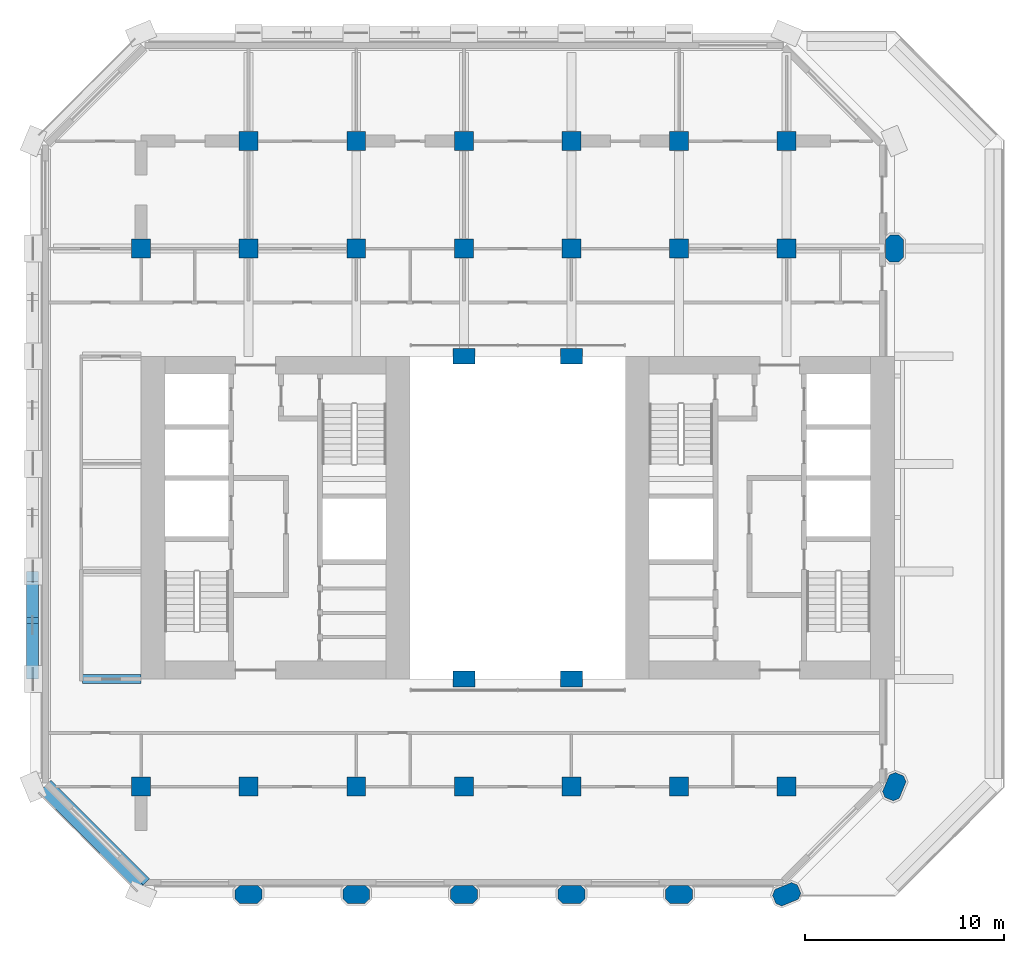
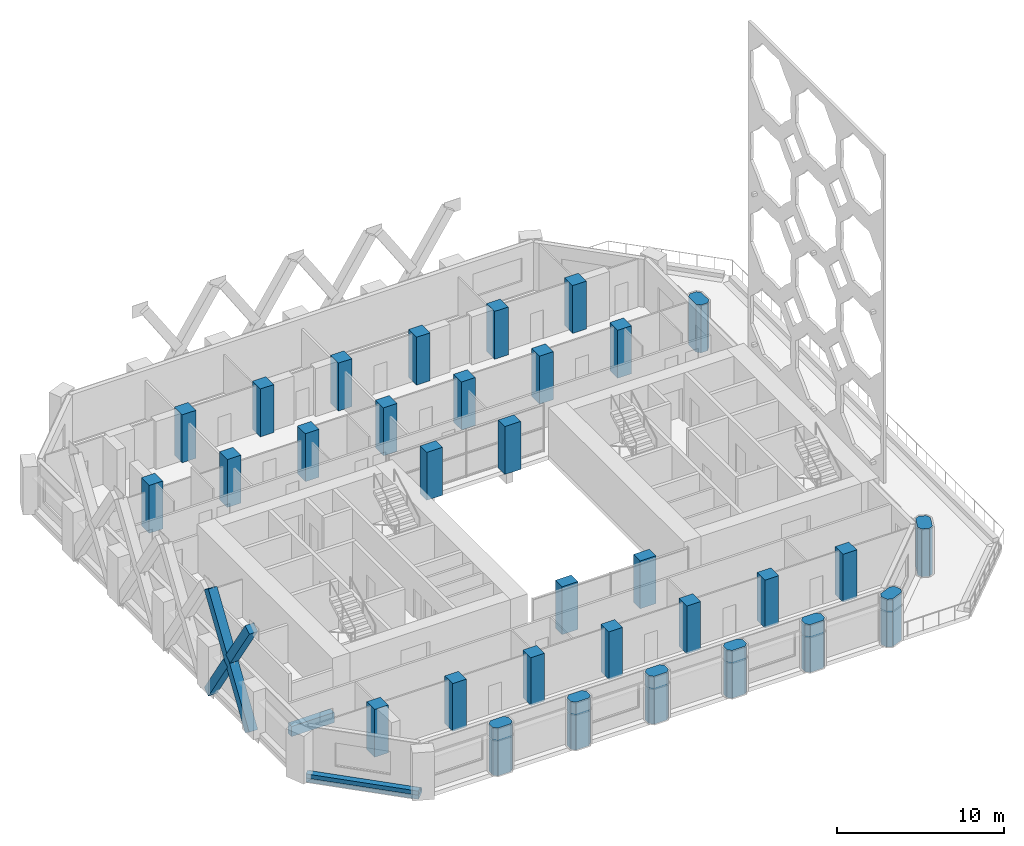
# One storey, part 1 of 14: 32 columns, 3 beams, 3 members.
"""IFC4 building model written with IfcOpenShell, lengths in metres."""

from ifc_helpers import new_model, si_unit, direction, frame, origin, origin_2d, place, context, subcontext, project, spatial, polyline, rectangle, outline, extrude, material, material_profile, profile_set, type_object, element, save


model = new_model("IFC4")

# Units and contexts
model_context = context("Model", 3, precision=1e-05, world=origin(), true_north=direction((0.0, 1.0)))
body_context = subcontext(model_context, "Body", "Model", "MODEL_VIEW")
ifc_project = project(units=[si_unit("LENGTHUNIT", "METRE"), si_unit("AREAUNIT", "SQUARE_METRE"), si_unit("VOLUMEUNIT", "CUBIC_METRE"), si_unit("PLANEANGLEUNIT", "RADIAN"), si_unit("MASSUNIT", "GRAM", prefix="KILO")], contexts=[model_context])

# Site, building, storey
site_placement = place(None, origin())
site = spatial("IfcSite", under=ifc_project, at=site_placement, CompositionType="ELEMENT")
building_placement = place(site_placement, origin())
building = spatial("IfcBuilding", under=site, at=building_placement, Name="Tabaq Tower and Sports Hall", CompositionType="ELEMENT")
storey_placement = place(building_placement, frame((0.0, 0.0, 95.39990234375)))
storey = spatial("IfcBuildingStorey", under=building, at=storey_placement, Name="L22", CompositionType="ELEMENT", Elevation=95.39990234375)

# Columns
ifc_material_1 = material(Name="Concrete C60/75", Category="concrete")
ifc_material_profile_1 = material_profile(ifc_material_1, rectangle(XDim=1.10009765625, YDim=0.800048828125, at=origin_2d()), Name="ATRIUM COLUMN 1100x800")
ifc_profile_set_1 = profile_set([ifc_material_profile_1], Name="Concrete C60/75")
column_type_1 = type_object("IfcColumnType", Name="RC COLUMN ATRIUM COLUMN 1100x800 C60/75", PredefinedType="COLUMN", material=ifc_profile_set_1)
for number, where, z_axis, x_axis, name in (
    (1, (21.60009765625, 16.199951171875, 0.0), (0.0, 0.0, 1.0), (1.0, 0.0, 0.0), "Atrium Column 5/D L22"),
    (2, (27.0, 16.199951171875, 0.0), (0.0, 0.0, 1.0), (1.0, 0.0, 0.0), "Atrium Column 6/D L22"),
    (3, (21.60009765625, 32.39990234375, 0.0), (0.0, 0.0, 1.0), (1.0, 0.0, 0.0), "Atrium Column 5/G L22"),
    (4, (27.0, 32.39990234375, 0.0), (0.0, 0.0, 1.0), (1.0, 0.0, 0.0), "Atrium Column 6/G L22"),
):
    element("IfcColumn", number, at=place(storey_placement, frame(where, z_axis=z_axis, x_axis=x_axis)), inside=storey, type_object=column_type_1, Name=name, PredefinedType="COLUMN", context=body_context, shape_type="SweptSolid", body=[
        extrude(rectangle(XDim=1.10009765625, YDim=0.800048828125, at=origin_2d()), origin(), (0.0, 0.0, 1.0), 3.5),
    ])
ifc_material_2 = material(Name="Concrete C60/75", Category="concrete")
ifc_material_profile_2 = material_profile(ifc_material_2, rectangle(XDim=0.949951171875, YDim=0.949951171875, at=origin_2d()), Name="COLUMN 950x950")
ifc_profile_set_2 = profile_set([ifc_material_profile_2], Name="Concrete C60/75")
column_type_2 = type_object("IfcColumnType", Name="RC COLUMN COLUMN 950x950 C60/75", PredefinedType="COLUMN", material=ifc_profile_set_2)
for number, where, z_axis, x_axis, name in (
    (5, (5.39990234375, 10.800048828125, 0.0), (0.0, 0.0, 1.0), (1.0, 0.0, 0.0), "Column 2/C L22"),
    (6, (10.800048828125, 10.800048828125, 0.0), (0.0, 0.0, 1.0), (1.0, 0.0, 0.0), "Column 3/C L22"),
    (7, (16.199951171875, 10.800048828125, 0.0), (0.0, 0.0, 1.0), (1.0, 0.0, 0.0), "Column 4/C L22"),
    (8, (21.60009765625, 10.800048828125, 0.0), (0.0, 0.0, 1.0), (1.0, 0.0, 0.0), "Column 5/C L22"),
    (9, (27.0, 10.800048828125, 0.0), (0.0, 0.0, 1.0), (1.0, 0.0, 0.0), "Column 6/C L22"),
    (10, (32.39990234375, 10.800048828125, 0.0), (0.0, 0.0, 1.0), (1.0, 0.0, 0.0), "Column 7/C L22"),
    (11, (37.800048828125, 10.800048828125, 0.0), (0.0, 0.0, 1.0), (1.0, 0.0, 0.0), "Column 8/C L22"),
    (12, (5.39990234375, 37.800048828125, 0.0), (0.0, 0.0, 1.0), (1.0, 0.0, 0.0), "Column 2/H L22"),
    (13, (10.800048828125, 37.800048828125, 0.0), (0.0, 0.0, 1.0), (1.0, 0.0, 0.0), "Column 3/H L22"),
    (14, (16.199951171875, 37.800048828125, 0.0), (0.0, 0.0, 1.0), (1.0, 0.0, 0.0), "Column 4/H L22"),
    (15, (21.60009765625, 37.800048828125, 0.0), (0.0, 0.0, 1.0), (1.0, 0.0, 0.0), "Column 5/H L22"),
    (16, (27.0, 37.800048828125, 0.0), (0.0, 0.0, 1.0), (1.0, 0.0, 0.0), "Column 6/H L22"),
    (17, (32.39990234375, 37.800048828125, 0.0), (0.0, 0.0, 1.0), (1.0, 0.0, 0.0), "Column 7/H L22"),
    (18, (37.800048828125, 37.800048828125, 0.0), (0.0, 0.0, 1.0), (1.0, 0.0, 0.0), "Column 8/H L22"),
    (19, (10.800048828125, 43.199951171875, 0.0), (0.0, 0.0, 1.0), (1.0, 0.0, 0.0), "Column 3/I L22"),
    (20, (16.199951171875, 43.199951171875, 0.0), (0.0, 0.0, 1.0), (1.0, 0.0, 0.0), "Column 4/I L22"),
    (21, (21.60009765625, 43.199951171875, 0.0), (0.0, 0.0, 1.0), (1.0, 0.0, 0.0), "Column 5/I L22"),
    (22, (27.0, 43.199951171875, 0.0), (0.0, 0.0, 1.0), (1.0, 0.0, 0.0), "Column 6/I L22"),
    (23, (32.39990234375, 43.199951171875, 0.0), (0.0, 0.0, 1.0), (1.0, 0.0, 0.0), "Column 7/I L22"),
    (24, (37.800048828125, 43.199951171875, 0.0), (0.0, 0.0, 1.0), (1.0, 0.0, 0.0), "Column 8/I L22"),
):
    element("IfcColumn", number, at=place(storey_placement, frame(where, z_axis=z_axis, x_axis=x_axis)), inside=storey, type_object=column_type_2, Name=name, PredefinedType="COLUMN", context=body_context, shape_type="SweptSolid", body=[
        extrude(rectangle(XDim=0.949951171875, YDim=0.949951171875, at=origin_2d()), origin(), (0.0, 0.0, 1.0), 3.5),
    ])
ifc_material_3 = material(Name="Concrete C60/75", Category="concrete")
ifc_material_profile_3 = material_profile(ifc_material_3, outline(polyline([(-0.449951171875, -0.449951171875), (0.449951171875, -0.449951171875), (0.675048828125, -0.22509765625), (0.675048828125, 0.22509765625), (0.449951171875, 0.449951171875), (-0.449951171875, 0.449951171875), (-0.675048828125, 0.22509765625), (-0.675048828125, -0.22509765625), (-0.449951171875, -0.449951171875)])), Name="PIER 1350x900")
ifc_profile_set_3 = profile_set([ifc_material_profile_3], Name="Concrete C60/75")
column_type_3 = type_object("IfcColumnType", Name="RC COLUMN PIER 1350x900 C60/75", PredefinedType="COLUMN", material=ifc_profile_set_3)
for number, where, z_axis, x_axis, name in (
    (25, (10.800048828125, 5.39990234375, 0.0), (0.0, 0.0, 1.0), (1.0, 0.0, 0.0), "Pier 3/B L22"),
    (26, (16.199951171875, 5.39990234375, 0.0), (0.0, 0.0, 1.0), (1.0, 0.0, 0.0), "Pier 4/B L22"),
    (27, (21.60009765625, 5.39990234375, 0.0), (0.0, 0.0, 1.0), (1.0, 0.0, 0.0), "Pier 5/B L22"),
    (28, (27.0, 5.39990234375, 0.0), (0.0, 0.0, 1.0), (1.0, 0.0, 0.0), "Pier 6/B L22"),
    (29, (32.39990234375, 5.39990234375, 0.0), (0.0, 0.0, 1.0), (1.0, 0.0, 0.0), "Pier 7/B L22"),
    (30, (37.800048828125, 5.39990234375, 0.0), (0.0, 0.0, 1.0), (0.923879532511, 0.382683432365, 0.0), "Pier 8/B L22"),
    (31, (43.199951171875, 10.800048828125, 0.0), (0.0, 0.0, 1.0), (0.382683432365, 0.923879532511, 0.0), "Pier 9/C L22"),
    (32, (43.199951171875, 37.800048828125, 0.0), (0.0, 0.0, 1.0), (0.0, 1.0, 0.0), "Pier 9/H L22"),
):
    element("IfcColumn", number, at=place(storey_placement, frame(where, z_axis=z_axis, x_axis=x_axis)), inside=storey, type_object=column_type_3, Name=name, PredefinedType="COLUMN", context=body_context, shape_type="SweptSolid", body=[
        extrude(outline(polyline([(-0.449951171875, -0.449951171875), (0.449951171875, -0.449951171875), (0.675048828125, -0.22509765625), (0.675048828125, 0.22509765625), (0.449951171875, 0.449951171875), (-0.449951171875, 0.449951171875), (-0.675048828125, 0.22509765625), (-0.675048828125, -0.22509765625), (-0.449951171875, -0.449951171875)])), origin(), (0.0, 0.0, 1.0), 3.5),
    ])

# Beams
ifc_material_4 = material(Name="Concrete C40/50", Category="concrete")
ifc_material_profile_4 = material_profile(ifc_material_4, rectangle(XDim=0.449951171875, YDim=0.75, at=origin_2d()), Name="CB 450x750")
ifc_profile_set_4 = profile_set([ifc_material_profile_4], Name="Concrete C40/50")
beam_type_1 = type_object("IfcBeamType", Name="PT CANTILEVER BEAM CB 450x750 C40/50", PredefinedType="BEAM", material=ifc_profile_set_4)
beam_1_placement = place(storey_placement, frame((2.449951171875, 16.199951171875, -0.6748046875), z_axis=(1.0, 0.0, 0.0), x_axis=(0.0, 1.0, 0.0)))
element("IfcBeam", 33, at=beam_1_placement, inside=storey, type_object=beam_type_1, Name="Cantilever Beam L22 W3 span 1", PredefinedType="BEAM", context=body_context, shape_type="SweptSolid", body=[
    extrude(rectangle(XDim=0.449951171875, YDim=0.75, at=origin_2d()), origin(), (0.0, 0.0, 1.0), 2.949951171875),
])
ifc_material_5 = material(Name="Concrete C40/50", Category="concrete")
ifc_material_profile_5 = material_profile(ifc_material_5, rectangle(XDim=0.85009765625, YDim=0.300048828125, at=origin_2d()), Name="EB 850x300")
ifc_profile_set_5 = profile_set([ifc_material_profile_5], Name="Concrete C40/50")
beam_type_2 = type_object("IfcBeamType", Name="PT EDGE BEAM EB 850x300 C40/50", PredefinedType="SPANDREL", material=ifc_profile_set_5)
beam_2_placement = place(storey_placement, frame((0.584716796875, 10.816162109375, -0.14990234375), z_axis=(0.707106781187, -0.707106781187, 0.0), x_axis=(0.707106781187, 0.707106781187, 0.0)))
element("IfcBeam", 34, at=beam_2_placement, inside=storey, type_object=beam_type_2, Name="Edge Beam L22 4", PredefinedType="SPANDREL", context=body_context, shape_type="SweptSolid", body=[
    extrude(rectangle(XDim=0.85009765625, YDim=0.300048828125, at=origin_2d()), origin(), (0.0, 0.0, 1.0), 6.98486328125),
])
ifc_material_6 = material(Name="Concrete C40/50", Category="concrete")
ifc_material_profile_6 = material_profile(ifc_material_6, rectangle(XDim=0.39990234375, YDim=0.300048828125, at=origin_2d()), Name="EU 400x300")
ifc_profile_set_6 = profile_set([ifc_material_profile_6], Name="Concrete C40/50")
beam_type_3 = type_object("IfcBeamType", Name="PT EDGE UPSTAND EU 400x300 C40/50", PredefinedType="BEAM", material=ifc_profile_set_6)
beam_3_placement = place(storey_placement, frame((0.42578125, 10.6572265625, 0.150146484375), z_axis=(0.707106781187, -0.707106781187, 0.0), x_axis=(0.707106781187, 0.707106781187, 0.0)))
element("IfcBeam", 35, at=beam_3_placement, inside=storey, type_object=beam_type_3, Name="Edge Upstand L22 4", PredefinedType="BEAM", context=body_context, shape_type="SweptSolid", body=[
    extrude(rectangle(XDim=0.39990234375, YDim=0.300048828125, at=origin_2d()), origin(), (0.0, 0.0, 1.0), 6.98486328125),
])

# Members
ifc_material_7 = material(Name="Concrete C60/75", Category="concrete")
ifc_material_profile_7 = material_profile(ifc_material_7, rectangle(XDim=0.60009765625, YDim=0.60009765625, at=origin_2d()), Name="TRANSFER BAND BRACE 600x600")
ifc_profile_set_7 = profile_set([ifc_material_profile_7], Name="Concrete C60/75")
member_type = type_object("IfcMemberType", Name="RC TRANSFER BAND BRACE 600x600 C60/75", PredefinedType="BRACE", material=ifc_profile_set_7)
member_1_placement = place(storey_placement, frame((-0.050048828125, 16.449951171875, -0.0498046875), z_axis=(0.0, 0.546960043342, 0.837158713141), x_axis=(-1.0, 0.0, 0.0)))
element("IfcMember", 36, at=member_1_placement, inside=storey, type_object=member_type, Name="Transfer Band Brace L22 West 13", PredefinedType="BRACE", context=body_context, shape_type="SweptSolid", body=[
    extrude(rectangle(XDim=0.60009765625, YDim=0.60009765625, at=origin_2d()), origin(), (0.0, 0.0, 1.0), 8.958984375),
])
member_2_placement = place(storey_placement, frame((-0.050048828125, 21.35009765625, -0.0498046875), z_axis=(0.0, -0.546980074693, 0.837145625258), x_axis=(1.0, 0.0, 0.0)))
element("IfcMember", 37, at=member_2_placement, inside=storey, type_object=member_type, Name="Transfer Band Brace L22 West 14", PredefinedType="BRACE", context=body_context, shape_type="SweptSolid", body=[
    extrude(rectangle(XDim=0.60009765625, YDim=0.60009765625, at=origin_2d()), origin(), (0.0, 0.0, 1.0), 4.201904296875),
])
member_3_placement = place(storey_placement, frame((-0.050048828125, 18.748291015625, 3.932373046875), z_axis=(0.0, -0.546953470309, 0.837163007614), x_axis=(1.0, 0.0, 0.0)))
element("IfcMember", 38, at=member_3_placement, inside=storey, type_object=member_type, Name="Transfer Band Brace L22 West 15", PredefinedType="BRACE", context=body_context, shape_type="SweptSolid", body=[
    extrude(rectangle(XDim=0.60009765625, YDim=0.60009765625, at=origin_2d()), origin(), (0.0, 0.0, 1.0), 4.2021484375),
])

save(model, "model.ifc")
